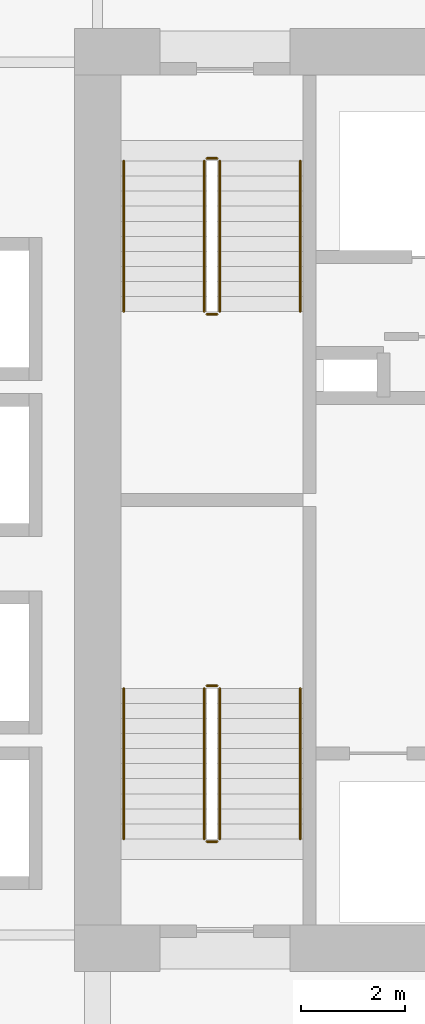
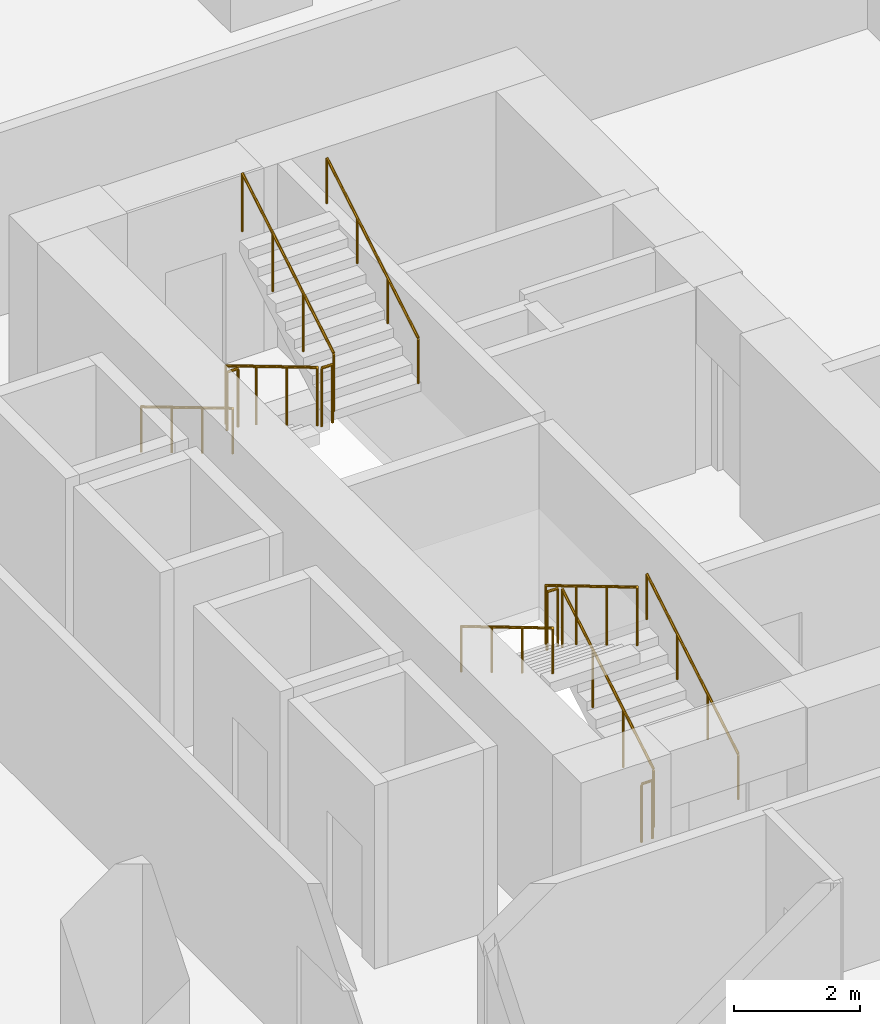
# One storey, part 20 of 21: 12 railings.
"""IFC4 building model written with IfcOpenShell, lengths in metres."""

from ifc_helpers import new_model, si_unit, direction, frame, origin, origin_2d, place, context, subcontext, project, spatial, circle, extrude, material, type_object, element, save


model = new_model("IFC4")

# Units and contexts
model_context = context("Model", 3, precision=1e-05, world=origin(), true_north=direction((0.0, 1.0)))
body_context = subcontext(model_context, "Body", "Model", "MODEL_VIEW")
ifc_project = project(units=[si_unit("LENGTHUNIT", "METRE"), si_unit("AREAUNIT", "SQUARE_METRE"), si_unit("VOLUMEUNIT", "CUBIC_METRE"), si_unit("PLANEANGLEUNIT", "RADIAN"), si_unit("MASSUNIT", "GRAM", prefix="KILO")], contexts=[model_context])

# Site, building, storey
site_placement = place(None, origin())
site = spatial("IfcSite", under=ifc_project, at=site_placement, CompositionType="ELEMENT")
building_placement = place(site_placement, origin())
building = spatial("IfcBuilding", under=site, at=building_placement, Name="Koriwani Terraces Tower", CompositionType="ELEMENT")
storey_placement = place(building_placement, frame((0.0, 0.0, 77.60009765625)))
storey = spatial("IfcBuildingStorey", under=building, at=storey_placement, Name="L18", CompositionType="ELEMENT", Elevation=77.60009765625)

# Railings
ifc_material = material(Name="Steel ASTM A572 Grade 50", Category="steel")
railing_type_1 = type_object("IfcRailingType", Name="GUARD_STAIR_WELL_1120", PredefinedType="GUARDRAIL", material=ifc_material)
railing_1_placement = place(storey_placement, frame((19.14990234375, 43.85009765625, 0.172607421875)))
element("IfcRailing", 1, at=railing_1_placement, inside=storey, type_object=railing_type_1, Name="L18 ST-W1 stair guard 1", PredefinedType="GUARDRAIL", context=body_context, shape_type="SweptSolid", body=[
    extrude(circle(Radius=0.02392578125, at=origin_2d()), frame((0.0, 0.0, 1.1259765625), z_axis=(0.0, 0.859141464434, 0.511738159696), x_axis=(-1.0, 0.0, 0.0)), (0.0, 0.0, 1.0), 3.375244140625),
    extrude(circle(Radius=0.02099609375, at=origin_2d()), origin(), (0.0, 0.0, 1.0), 1.101806640625),
    extrude(circle(Radius=0.02099609375, at=origin_2d()), frame((0.0, 0.966552734375, 0.57568359375)), (0.0, 0.0, 1.0), 1.101806640625),
    extrude(circle(Radius=0.02099609375, at=origin_2d()), frame((0.0, 1.933349609375, 1.151611328125)), (0.0, 0.0, 1.0), 1.101806640625),
    extrude(circle(Radius=0.02099609375, at=origin_2d()), frame((0.0, 2.89990234375, 1.727294921875)), (0.0, 0.0, 1.0), 1.101806640625),
])
railing_2_placement = place(storey_placement, frame((19.10009765625, 46.800048828125, 1.89990234375)))
element("IfcRailing", 2, at=railing_2_placement, inside=storey, type_object=railing_type_1, Name="L18 ST-W1 stair guard 2", PredefinedType="GUARDRAIL", context=body_context, shape_type="SweptSolid", body=[
    extrude(circle(Radius=0.02392578125, at=origin_2d()), frame((0.0, 0.0, 1.1259765625), z_axis=(-1.0, 0.0, 0.0), x_axis=(0.0, -1.0, 0.0)), (0.0, 0.0, 1.0), 0.2001953125),
    extrude(circle(Radius=0.02099609375, at=origin_2d()), origin(), (0.0, 0.0, 1.0), 1.101806640625),
    extrude(circle(Radius=0.02099609375, at=origin_2d()), frame((-0.2001953125, 0.0, 0.0)), (0.0, 0.0, 1.0), 1.101806640625),
])
railing_3_placement = place(storey_placement, frame((18.85009765625, 46.75, 2.072509765625)))
element("IfcRailing", 3, at=railing_3_placement, inside=storey, type_object=railing_type_1, Name="L18 ST-W1 stair guard 3", PredefinedType="GUARDRAIL", context=body_context, shape_type="SweptSolid", body=[
    extrude(circle(Radius=0.02392578125, at=origin_2d()), frame((0.0, 0.0, 1.1259765625), z_axis=(0.0, -0.859141464434, 0.511738159696), x_axis=(1.0, 0.0, 0.0)), (0.0, 0.0, 1.0), 3.375244140625),
    extrude(circle(Radius=0.02099609375, at=origin_2d()), origin(), (0.0, 0.0, 1.0), 1.101806640625),
    extrude(circle(Radius=0.02099609375, at=origin_2d()), frame((0.0, -0.966552734375, 0.57568359375)), (0.0, 0.0, 1.0), 1.101806640625),
    extrude(circle(Radius=0.02099609375, at=origin_2d()), frame((0.0, -1.933349609375, 1.151611328125)), (0.0, 0.0, 1.0), 1.101806640625),
    extrude(circle(Radius=0.02099609375, at=origin_2d()), frame((0.0, -2.89990234375, 1.727294921875)), (0.0, 0.0, 1.0), 1.101806640625),
])
railing_4_placement = place(storey_placement, frame((19.10009765625, 43.800048828125, 0.0)))
element("IfcRailing", 4, at=railing_4_placement, inside=storey, type_object=railing_type_1, Name="L18 ST-W1 stair guard 4", PredefinedType="GUARDRAIL", context=body_context, shape_type="SweptSolid", body=[
    extrude(circle(Radius=0.02392578125, at=origin_2d()), frame((0.0, 0.0, 1.1259765625), z_axis=(-1.0, 0.0, 0.0), x_axis=(0.0, -1.0, 0.0)), (0.0, 0.0, 1.0), 0.2001953125),
    extrude(circle(Radius=0.02099609375, at=origin_2d()), origin(), (0.0, 0.0, 1.0), 1.101806640625),
    extrude(circle(Radius=0.02099609375, at=origin_2d()), frame((-0.2001953125, 0.0, 0.0)), (0.0, 0.0, 1.0), 1.101806640625),
])
railing_5_placement = place(storey_placement, frame((18.85009765625, 56.89990234375, 0.172607421875)))
element("IfcRailing", 5, at=railing_5_placement, inside=storey, type_object=railing_type_1, Name="L18 ST-W2 stair guard 1", PredefinedType="GUARDRAIL", context=body_context, shape_type="SweptSolid", body=[
    extrude(circle(Radius=0.02392578125, at=origin_2d()), frame((0.0, 0.0, 1.1259765625), z_axis=(0.0, -0.859141464434, 0.511738159696), x_axis=(1.0, 0.0, 0.0)), (0.0, 0.0, 1.0), 3.375244140625),
    extrude(circle(Radius=0.02099609375, at=origin_2d()), origin(), (0.0, 0.0, 1.0), 1.101806640625),
    extrude(circle(Radius=0.02099609375, at=origin_2d()), frame((0.0, -0.966552734375, 0.57568359375)), (0.0, 0.0, 1.0), 1.101806640625),
    extrude(circle(Radius=0.02099609375, at=origin_2d()), frame((0.0, -1.933349609375, 1.151611328125)), (0.0, 0.0, 1.0), 1.101806640625),
    extrude(circle(Radius=0.02099609375, at=origin_2d()), frame((0.0, -2.89990234375, 1.727294921875)), (0.0, 0.0, 1.0), 1.101806640625),
])
railing_6_placement = place(storey_placement, frame((18.89990234375, 53.949951171875, 1.89990234375)))
element("IfcRailing", 6, at=railing_6_placement, inside=storey, type_object=railing_type_1, Name="L18 ST-W2 stair guard 2", PredefinedType="GUARDRAIL", context=body_context, shape_type="SweptSolid", body=[
    extrude(circle(Radius=0.02392578125, at=origin_2d()), frame((0.0, 0.0, 1.1259765625), z_axis=(1.0, 0.0, 0.0), x_axis=(0.0, 1.0, 0.0)), (0.0, 0.0, 1.0), 0.2001953125),
    extrude(circle(Radius=0.02099609375, at=origin_2d()), origin(), (0.0, 0.0, 1.0), 1.101806640625),
    extrude(circle(Radius=0.02099609375, at=origin_2d()), frame((0.2001953125, 0.0, 0.0)), (0.0, 0.0, 1.0), 1.101806640625),
])
railing_7_placement = place(storey_placement, frame((19.14990234375, 54.0, 2.072509765625)))
element("IfcRailing", 7, at=railing_7_placement, inside=storey, type_object=railing_type_1, Name="L18 ST-W2 stair guard 3", PredefinedType="GUARDRAIL", context=body_context, shape_type="SweptSolid", body=[
    extrude(circle(Radius=0.02392578125, at=origin_2d()), frame((0.0, 0.0, 1.1259765625), z_axis=(0.0, 0.859141464434, 0.511738159696), x_axis=(-1.0, 0.0, 0.0)), (0.0, 0.0, 1.0), 3.375244140625),
    extrude(circle(Radius=0.02099609375, at=origin_2d()), origin(), (0.0, 0.0, 1.0), 1.101806640625),
    extrude(circle(Radius=0.02099609375, at=origin_2d()), frame((0.0, 0.966552734375, 0.57568359375)), (0.0, 0.0, 1.0), 1.101806640625),
    extrude(circle(Radius=0.02099609375, at=origin_2d()), frame((0.0, 1.933349609375, 1.151611328125)), (0.0, 0.0, 1.0), 1.101806640625),
    extrude(circle(Radius=0.02099609375, at=origin_2d()), frame((0.0, 2.89990234375, 1.727294921875)), (0.0, 0.0, 1.0), 1.101806640625),
])
railing_8_placement = place(storey_placement, frame((18.89990234375, 56.949951171875, 0.0)))
element("IfcRailing", 8, at=railing_8_placement, inside=storey, type_object=railing_type_1, Name="L18 ST-W2 stair guard 4", PredefinedType="GUARDRAIL", context=body_context, shape_type="SweptSolid", body=[
    extrude(circle(Radius=0.02392578125, at=origin_2d()), frame((0.0, 0.0, 1.1259765625), z_axis=(1.0, 0.0, 0.0), x_axis=(0.0, 1.0, 0.0)), (0.0, 0.0, 1.0), 0.2001953125),
    extrude(circle(Radius=0.02099609375, at=origin_2d()), origin(), (0.0, 0.0, 1.0), 1.101806640625),
    extrude(circle(Radius=0.02099609375, at=origin_2d()), frame((0.2001953125, 0.0, 0.0)), (0.0, 0.0, 1.0), 1.101806640625),
])
railing_type_2 = type_object("IfcRailingType", Name="HANDRAIL_STAIR_920", PredefinedType="HANDRAIL", material=ifc_material)
railing_9_placement = place(storey_placement, frame((20.699951171875, 43.85009765625, 0.172607421875)))
element("IfcRailing", 9, at=railing_9_placement, inside=storey, type_object=railing_type_2, Name="L18 ST-W1 stair handrail 1", PredefinedType="HANDRAIL", context=body_context, shape_type="SweptSolid", body=[
    extrude(circle(Radius=0.02392578125, at=origin_2d()), frame((0.0, 0.0, 0.8759765625), z_axis=(0.0, 0.859141464434, 0.511738159696), x_axis=(-1.0, 0.0, 0.0)), (0.0, 0.0, 1.0), 3.375244140625),
    extrude(circle(Radius=0.02099609375, at=origin_2d()), origin(), (0.0, 0.0, 1.0), 0.851806640625),
    extrude(circle(Radius=0.02099609375, at=origin_2d()), frame((0.0, 0.966552734375, 0.57568359375)), (0.0, 0.0, 1.0), 0.851806640625),
    extrude(circle(Radius=0.02099609375, at=origin_2d()), frame((0.0, 1.933349609375, 1.151611328125)), (0.0, 0.0, 1.0), 0.851806640625),
    extrude(circle(Radius=0.02099609375, at=origin_2d()), frame((0.0, 2.89990234375, 1.727294921875)), (0.0, 0.0, 1.0), 0.851806640625),
])
for number, where, name in (
    (10, (17.300048828125, 46.75, 2.072509765625), "L18 ST-W1 stair handrail 2"),
    (11, (17.300048828125, 56.89990234375, 0.172607421875), "L18 ST-W2 stair handrail 1"),
):
    element("IfcRailing", number, at=place(storey_placement, frame(where)), inside=storey, type_object=railing_type_2, Name=name, PredefinedType="HANDRAIL", context=body_context, shape_type="SweptSolid", body=[
        extrude(circle(Radius=0.02392578125, at=origin_2d()), frame((0.0, 0.0, 0.8759765625), z_axis=(0.0, -0.859141464434, 0.511738159696), x_axis=(1.0, 0.0, 0.0)), (0.0, 0.0, 1.0), 3.375244140625),
        extrude(circle(Radius=0.02099609375, at=origin_2d()), origin(), (0.0, 0.0, 1.0), 0.851806640625),
        extrude(circle(Radius=0.02099609375, at=origin_2d()), frame((0.0, -0.966552734375, 0.57568359375)), (0.0, 0.0, 1.0), 0.851806640625),
        extrude(circle(Radius=0.02099609375, at=origin_2d()), frame((0.0, -1.933349609375, 1.151611328125)), (0.0, 0.0, 1.0), 0.851806640625),
        extrude(circle(Radius=0.02099609375, at=origin_2d()), frame((0.0, -2.89990234375, 1.727294921875)), (0.0, 0.0, 1.0), 0.851806640625),
    ])
railing_10_placement = place(storey_placement, frame((20.699951171875, 54.0, 2.072509765625)))
element("IfcRailing", 12, at=railing_10_placement, inside=storey, type_object=railing_type_2, Name="L18 ST-W2 stair handrail 2", PredefinedType="HANDRAIL", context=body_context, shape_type="SweptSolid", body=[
    extrude(circle(Radius=0.02392578125, at=origin_2d()), frame((0.0, 0.0, 0.8759765625), z_axis=(0.0, 0.859141464434, 0.511738159696), x_axis=(-1.0, 0.0, 0.0)), (0.0, 0.0, 1.0), 3.375244140625),
    extrude(circle(Radius=0.02099609375, at=origin_2d()), origin(), (0.0, 0.0, 1.0), 0.851806640625),
    extrude(circle(Radius=0.02099609375, at=origin_2d()), frame((0.0, 0.966552734375, 0.57568359375)), (0.0, 0.0, 1.0), 0.851806640625),
    extrude(circle(Radius=0.02099609375, at=origin_2d()), frame((0.0, 1.933349609375, 1.151611328125)), (0.0, 0.0, 1.0), 0.851806640625),
    extrude(circle(Radius=0.02099609375, at=origin_2d()), frame((0.0, 2.89990234375, 1.727294921875)), (0.0, 0.0, 1.0), 0.851806640625),
])

save(model, "model.ifc")
